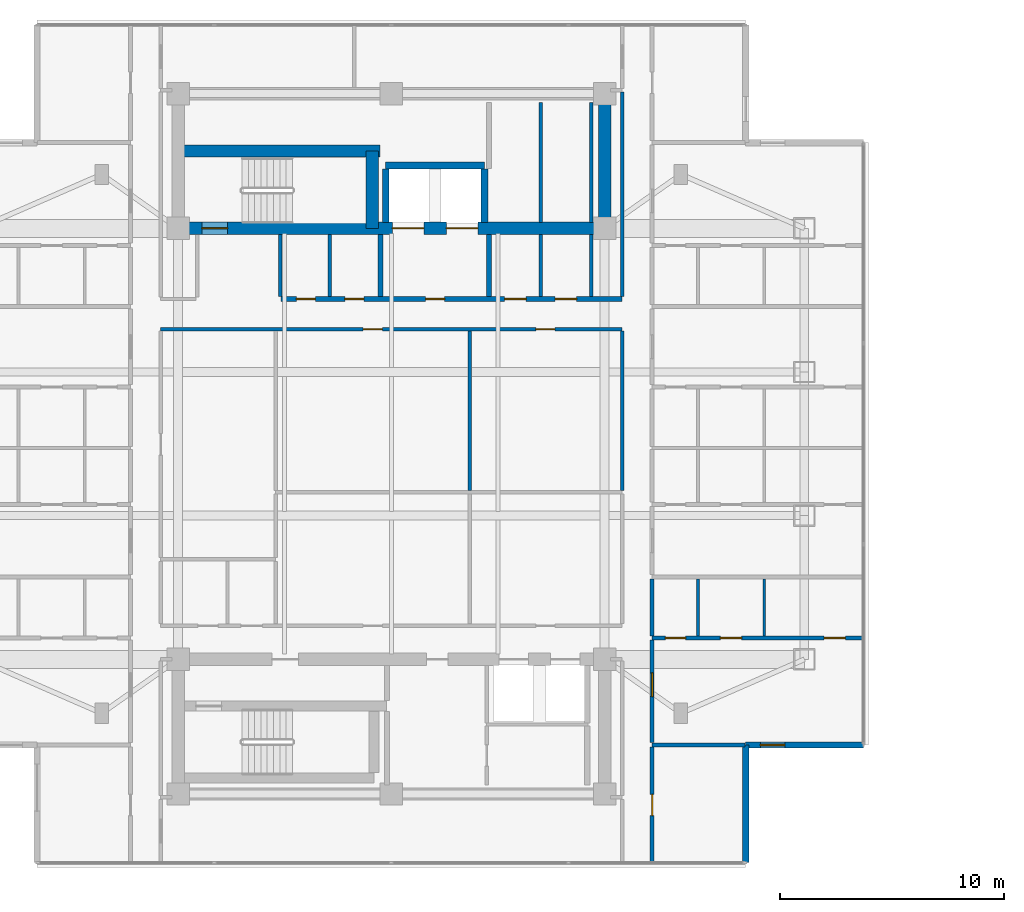
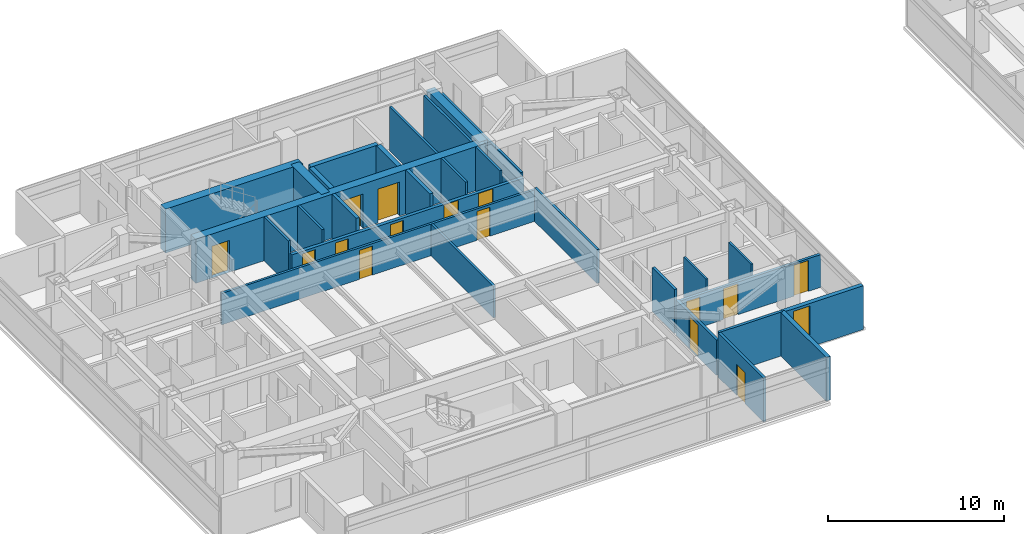
# One storey, part 15 of 26: 29 walls, 15 doors, 1 window, 16 openings.
"""IFC4 building model written with IfcOpenShell, lengths in metres."""

from ifc_helpers import new_model, si_unit, direction, frame, frame_2d, origin, place, context, subcontext, project, spatial, rectangle, extrude, material, layer, layer_set, type_object, element, fill, save


model = new_model("IFC4")

# Units and contexts
model_context = context("Model", 3, precision=1e-05, world=origin(), true_north=direction((0.0, 1.0)))
body_context = subcontext(model_context, "Body", "Model", "MODEL_VIEW")
ifc_project = project(units=[si_unit("LENGTHUNIT", "METRE"), si_unit("AREAUNIT", "SQUARE_METRE"), si_unit("VOLUMEUNIT", "CUBIC_METRE"), si_unit("PLANEANGLEUNIT", "RADIAN"), si_unit("MASSUNIT", "GRAM", prefix="KILO")], contexts=[model_context])

# Site, building, storey
site_placement = place(None, origin())
site = spatial("IfcSite", under=ifc_project, at=site_placement, CompositionType="ELEMENT")
building_placement = place(site_placement, origin())
building = spatial("IfcBuilding", under=site, at=building_placement, Name="Mirazonda Arch Towers", CompositionType="ELEMENT")
storey_placement = place(building_placement, frame((0.0, 0.0, 170.64990234375)))
storey = spatial("IfcBuildingStorey", under=building, at=storey_placement, Name="L48", CompositionType="ELEMENT", Elevation=170.64990234375)

# Wall
ifc_material_1 = material(Name="Concrete C50/60", Category="concrete")
ifc_layer_1 = layer(ifc_material_1, 0.550048828125, Name="WALL-CORE-550")
ifc_layer_set_1 = layer_set([ifc_layer_1], Name="Concrete C50/60")
wall_type_1 = type_object("IfcWallType", Name="WALL-CORE-550", PredefinedType="SHEAR", material=ifc_layer_set_1)
wall_1_placement = place(storey_placement, frame((30.0, 37.60009765625, 0.0), z_axis=(0.0, 0.0, 1.0), x_axis=(0.0, 1.0, 0.0)))
element("IfcWall", 1, at=wall_1_placement, inside=storey, type_object=wall_type_1, Name="L48 T1N-E Core Shear Wall", PredefinedType="SHEAR", context=body_context, shape_type="SweptSolid", body=[
    extrude(rectangle(XDim=6.0, YDim=0.550048828125, at=frame_2d((3.0, 0.0))), origin(), (0.0, 0.0, 1.0), 3.050048828125),
])

# Wall, openings, doors
wall_2_placement = place(storey_placement, frame((11.0, 37.60009765625, 0.0), z_axis=(0.0, 0.0, 1.0), x_axis=(1.0, 0.0, 0.0)))
wall_2 = element("IfcWall", 2, at=wall_2_placement, inside=storey, type_object=wall_type_1, Name="L48 T1N-S Core Shear Wall", PredefinedType="SHEAR", context=body_context, shape_type="SweptSolid", body=[
    extrude(rectangle(XDim=19.0, YDim=0.550048828125, at=frame_2d((9.5, 0.0))), origin(), (0.0, 0.0, 1.0), 3.050048828125),
])
opening_1_placement = place(wall_2_placement, frame((1.06005859375, 0.0, 0.0)))
opening_1 = element("IfcOpeningElement", 3, at=opening_1_placement, cuts=wall_2, Name="Opening DR-135", PredefinedType="OPENING", context=body_context, shape_type="SweptSolid", body=[
    extrude(rectangle(XDim=1.14990234375, YDim=2.199951171875, at=frame_2d((0.574951171875, 1.10009765625))), frame((0.0, 0.284912109375, 0.0), z_axis=(0.0, -1.0, 0.0), x_axis=(1.0, 0.0, 0.0)), (0.0, 0.0, 1.0), 0.570068359375),
])
opening_2_placement = place(wall_2_placement, frame((9.550048828125, 0.0, 0.0)))
opening_2 = element("IfcOpeningElement", 4, at=opening_2_placement, cuts=wall_2, Name="Opening LD-112", PredefinedType="OPENING", context=body_context, shape_type="SweptSolid", body=[
    extrude(rectangle(XDim=1.39990234375, YDim=2.35009765625, at=frame_2d((0.699951171875, 1.175048828125))), frame((0.0, 0.284912109375, 0.0), z_axis=(0.0, -1.0, 0.0), x_axis=(1.0, 0.0, 0.0)), (0.0, 0.0, 1.0), 0.570068359375),
])
opening_3_placement = place(wall_2_placement, frame((11.949951171875, 0.0, 0.0)))
opening_3 = element("IfcOpeningElement", 5, at=opening_3_placement, cuts=wall_2, Name="Opening LD-112", PredefinedType="OPENING", context=body_context, shape_type="SweptSolid", body=[
    extrude(rectangle(XDim=1.39990234375, YDim=2.35009765625, at=frame_2d((0.699951171875, 1.175048828125))), frame((0.0, 0.284912109375, 0.0), z_axis=(0.0, -1.0, 0.0), x_axis=(1.0, 0.0, 0.0)), (0.0, 0.0, 1.0), 0.570068359375),
])
ifc_material_2 = material(Name="Architectural Brushed Steel S355", Category="steel")
door_type_1 = type_object("IfcDoorType", Name="DOOR-LIFT-FFL-1400", OperationType="NOTDEFINED", PredefinedType="DOOR", material=ifc_material_2)
door_1_placement = place(opening_2_placement, origin())
door_1 = element("IfcDoor", 6, at=door_1_placement, inside=storey, type_object=door_type_1, Name="L48 Lift Landing Sliding Door FFL-T1", OperationType="DOUBLE_DOOR_SLIDING", OverallHeight=2.35009765625, OverallWidth=1.39990234375, PredefinedType="DOOR", context=body_context, shape_type="SweptSolid", body=[
    extrude(rectangle(XDim=1.39990234375, YDim=2.35009765625, at=frame_2d((0.699951171875, 1.175048828125))), frame((0.0, 0.02490234375, 0.0), z_axis=(0.0, -1.0, 0.0), x_axis=(1.0, 0.0, 0.0)), (0.0, 0.0, 1.0), 0.050048828125),
])
fill(opening_2, door_1)
door_2_placement = place(opening_3_placement, origin())
door_2 = element("IfcDoor", 7, at=door_2_placement, inside=storey, type_object=door_type_1, Name="L48 Lift Landing Sliding Door SVL-T1", OperationType="DOUBLE_DOOR_SLIDING", OverallHeight=2.35009765625, OverallWidth=1.39990234375, PredefinedType="DOOR", context=body_context, shape_type="SweptSolid", body=[
    extrude(rectangle(XDim=1.39990234375, YDim=2.35009765625, at=frame_2d((0.699951171875, 1.175048828125))), frame((0.0, 0.02490234375, 0.0), z_axis=(0.0, -1.0, 0.0), x_axis=(1.0, 0.0, 0.0)), (0.0, 0.0, 1.0), 0.050048828125),
])
fill(opening_3, door_2)
door_type_2 = type_object("IfcDoorType", Name="DOOR-STAIR-FD90-1150", OperationType="NOTDEFINED", PredefinedType="DOOR", material=ifc_material_2)
door_3_placement = place(opening_1_placement, origin())
door_3 = element("IfcDoor", 8, at=door_3_placement, inside=storey, type_object=door_type_2, Name="L48 Protected Exit Stair North Door", OperationType="SINGLE_SWING_LEFT", OverallHeight=2.199951171875, OverallWidth=1.14990234375, PredefinedType="DOOR", context=body_context, shape_type="SweptSolid", body=[
    extrude(rectangle(XDim=1.14990234375, YDim=2.199951171875, at=frame_2d((0.574951171875, 1.10009765625))), frame((0.0, 0.02490234375, 0.0), z_axis=(0.0, -1.0, 0.0), x_axis=(1.0, 0.0, 0.0)), (0.0, 0.0, 1.0), 0.050048828125),
])
fill(opening_1, door_3)

# Walls
wall_3_placement = place(storey_placement, frame((11.0, 41.04296875, 0.0), z_axis=(0.0, 0.0, 1.0), x_axis=(1.0, 0.0, 0.0)))
element("IfcWall", 9, at=wall_3_placement, inside=storey, type_object=wall_type_1, Name="L48 T1N-STN Core Shear Wall", PredefinedType="SHEAR", context=body_context, shape_type="SweptSolid", body=[
    extrude(rectangle(XDim=9.0, YDim=0.550048828125, at=frame_2d((4.5, 0.0))), origin(), (0.0, 0.0, 1.0), 3.050048828125),
])
wall_4_placement = place(storey_placement, frame((19.64990234375, 37.60009765625, 0.0), z_axis=(0.0, 0.0, 1.0), x_axis=(0.0, 1.0, 0.0)))
element("IfcWall", 10, at=wall_4_placement, inside=storey, type_object=wall_type_1, Name="L48 T1N-STE Core Shear Wall", PredefinedType="SHEAR", context=body_context, shape_type="SweptSolid", body=[
    extrude(rectangle(XDim=3.44287109375, YDim=0.550048828125, at=frame_2d((1.721435546875, 0.0))), origin(), (0.0, 0.0, 1.0), 3.050048828125),
])

# Wall, opening, window
ifc_material_3 = material(Name="Precast Concrete C40/50", Category="concrete")
ifc_layer_2 = layer(ifc_material_3, 0.280029296875, Name="WALL-EXT-WALL-280")
ifc_layer_set_2 = layer_set([ifc_layer_2], Name="Precast Concrete C40/50")
wall_type_2 = type_object("IfcWallType", Name="WALL-EXT-WALL-280", PredefinedType="SOLIDWALL", material=ifc_layer_set_2)
wall_5_placement = place(storey_placement, frame((36.284912109375, 14.5849609375, 0.0), z_axis=(0.0, 0.0, 1.0), x_axis=(1.0, 0.0, 0.0)))
wall_5 = element("IfcWall", 11, at=wall_5_placement, inside=storey, type_object=wall_type_2, Name="L48 T1 Corner Notch Return Wall WL-L48-T1-CSE1", PredefinedType="SOLIDWALL", context=body_context, shape_type="SweptSolid", body=[
    extrude(rectangle(XDim=5.2451171875, YDim=0.280029296875, at=frame_2d((2.62255859375, 0.0))), origin(), (0.0, 0.0, 1.0), 3.030029296875),
])
opening_4_placement = place(wall_5_placement, frame((0.64990234375, 0.0, 0.85009765625)))
opening_4 = element("IfcOpeningElement", 12, at=opening_4_placement, cuts=wall_5, Name="Opening WN-108", PredefinedType="OPENING", context=body_context, shape_type="SweptSolid", body=[
    extrude(rectangle(XDim=1.10009765625, YDim=2.0, at=frame_2d((0.550048828125, 1.0))), frame((0.0, 0.14990234375, 0.0), z_axis=(0.0, -1.0, 0.0), x_axis=(1.0, 0.0, 0.0)), (0.0, 0.0, 1.0), 0.300048828125),
])
ifc_material_4 = material(Name="Insulated Low-E Solar Glass", Category="glass")
window_type = type_object("IfcWindowType", Name="WIN-NOTCH-1100x2000", PartitioningType="SINGLE_PANEL", PredefinedType="WINDOW", material=ifc_material_4)
window_placement = place(opening_4_placement, origin())
window = element("IfcWindow", 13, at=window_placement, inside=storey, type_object=window_type, Name="L48 Punched Facade Window WN-L48-T1-CSE1", OverallHeight=2.0, OverallWidth=1.10009765625, PartitioningType="SINGLE_PANEL", PredefinedType="WINDOW", context=body_context, shape_type="SweptSolid", body=[
    extrude(rectangle(XDim=1.10009765625, YDim=2.0, at=frame_2d((0.550048828125, 1.0))), frame((0.0, 0.030029296875, 0.0), z_axis=(0.0, -1.0, 0.0), x_axis=(1.0, 0.0, 0.0)), (0.0, 0.0, 1.0), 0.06005859375),
])
fill(opening_4, window)

# Wall
wall_6_placement = place(storey_placement, frame((36.284912109375, 9.340087890625, 0.0), z_axis=(0.0, 0.0, 1.0), x_axis=(0.0, 1.0, 0.0)))
element("IfcWall", 14, at=wall_6_placement, inside=storey, type_object=wall_type_2, Name="L48 T1 Corner Notch Return Wall WL-L48-T1-CSE2", PredefinedType="SOLIDWALL", context=body_context, shape_type="SweptSolid", body=[
    extrude(rectangle(XDim=5.244873046875, YDim=0.280029296875, at=frame_2d((2.62255859375, 0.0))), origin(), (0.0, 0.0, 1.0), 3.030029296875),
])

# Wall, openings, doors
ifc_material_5 = material(Name="Concrete C40/50", Category="concrete")
ifc_layer_3 = layer(ifc_material_5, 0.219970703125, Name="WALL-FFL-220")
ifc_layer_set_3 = layer_set([ifc_layer_3], Name="Concrete C40/50")
wall_type_3 = type_object("IfcWallType", Name="WALL-FFL-220", PredefinedType="SOLIDWALL", material=ifc_layer_set_3)
wall_7_placement = place(storey_placement, frame((15.590087890625, 34.449951171875, 0.0), z_axis=(0.0, 0.0, 1.0), x_axis=(1.0, 0.0, 0.0)))
wall_7 = element("IfcWall", 15, at=wall_7_placement, inside=storey, type_object=wall_type_3, Name="L48 Interior Partition 050", PredefinedType="SOLIDWALL", context=body_context, shape_type="SweptSolid", body=[
    extrude(rectangle(XDim=15.18994140625, YDim=0.219970703125, at=frame_2d((7.594970703125, 0.0))), origin(), (0.0, 0.0, 1.0), 2.18603515625),
])
opening_5_placement = place(wall_7_placement, frame((6.43505859375, 0.0, 0.0)))
opening_5 = element("IfcOpeningElement", 16, at=opening_5_placement, cuts=wall_7, Name="Opening DR-128", PredefinedType="OPENING", context=body_context, shape_type="SweptSolid", body=[
    extrude(rectangle(XDim=0.85009765625, YDim=2.010009765625, at=frame_2d((0.425048828125, 1.0048828125))), frame((0.0, 0.119873046875, 0.0), z_axis=(0.0, -1.0, 0.0), x_axis=(1.0, 0.0, 0.0)), (0.0, 0.0, 1.0), 0.239990234375),
])
opening_6_placement = place(wall_7_placement, frame((9.9599609375, 0.0, 0.0)))
opening_6 = element("IfcOpeningElement", 17, at=opening_6_placement, cuts=wall_7, Name="Opening DR-104", PredefinedType="OPENING", context=body_context, shape_type="SweptSolid", body=[
    extrude(rectangle(XDim=0.949951171875, YDim=2.14990234375, at=frame_2d((0.47509765625, 1.074951171875))), frame((0.0, 0.119873046875, 0.0), z_axis=(0.0, -1.0, 0.0), x_axis=(1.0, 0.0, 0.0)), (0.0, 0.0, 1.0), 0.239990234375),
])
opening_7_placement = place(wall_7_placement, frame((12.2099609375, 0.0, 0.0)))
opening_7 = element("IfcOpeningElement", 18, at=opening_7_placement, cuts=wall_7, Name="Opening DR-104", PredefinedType="OPENING", context=body_context, shape_type="SweptSolid", body=[
    extrude(rectangle(XDim=0.949951171875, YDim=2.14990234375, at=frame_2d((0.47509765625, 1.074951171875))), frame((0.0, 0.119873046875, 0.0), z_axis=(0.0, -1.0, 0.0), x_axis=(1.0, 0.0, 0.0)), (0.0, 0.0, 1.0), 0.239990234375),
])
opening_8_placement = place(wall_7_placement, frame((0.675048828125, 0.0, 0.0)))
opening_8 = element("IfcOpeningElement", 19, at=opening_8_placement, cuts=wall_7, Name="Opening DR-128", PredefinedType="OPENING", context=body_context, shape_type="SweptSolid", body=[
    extrude(rectangle(XDim=0.85009765625, YDim=2.010009765625, at=frame_2d((0.425048828125, 1.0048828125))), frame((0.0, 0.119873046875, 0.0), z_axis=(0.0, -1.0, 0.0), x_axis=(1.0, 0.0, 0.0)), (0.0, 0.0, 1.0), 0.239990234375),
])
opening_9_placement = place(wall_7_placement, frame((2.8349609375, 0.0, 0.0)))
opening_9 = element("IfcOpeningElement", 20, at=opening_9_placement, cuts=wall_7, Name="Opening DR-128", PredefinedType="OPENING", context=body_context, shape_type="SweptSolid", body=[
    extrude(rectangle(XDim=0.85009765625, YDim=2.010009765625, at=frame_2d((0.425048828125, 1.0048828125))), frame((0.0, 0.119873046875, 0.0), z_axis=(0.0, -1.0, 0.0), x_axis=(1.0, 0.0, 0.0)), (0.0, 0.0, 1.0), 0.239990234375),
])
door_type_3 = type_object("IfcDoorType", Name="DOOR-RISER-FD60-850", OperationType="NOTDEFINED", PredefinedType="DOOR", material=ifc_material_2)
door_4_placement = place(opening_5_placement, origin())
door_4 = element("IfcDoor", 21, at=door_4_placement, inside=storey, type_object=door_type_3, Name="L48 Firefighting Lift Lobby Door", OperationType="SINGLE_SWING_RIGHT", OverallHeight=2.010009765625, OverallWidth=0.85009765625, PredefinedType="DOOR", context=body_context, shape_type="SweptSolid", body=[
    extrude(rectangle(XDim=0.85009765625, YDim=2.010009765625, at=frame_2d((0.425048828125, 1.0048828125))), frame((0.0, 0.02490234375, 0.0), z_axis=(0.0, -1.0, 0.0), x_axis=(1.0, 0.0, 0.0)), (0.0, 0.0, 1.0), 0.050048828125),
])
fill(opening_5, door_4)
door_5_placement = place(opening_8_placement, origin())
door_5 = element("IfcDoor", 22, at=door_5_placement, inside=storey, type_object=door_type_3, Name="L48 Electrical Room Door", OperationType="SINGLE_SWING_LEFT", OverallHeight=2.010009765625, OverallWidth=0.85009765625, PredefinedType="DOOR", context=body_context, shape_type="SweptSolid", body=[
    extrude(rectangle(XDim=0.85009765625, YDim=2.010009765625, at=frame_2d((0.425048828125, 1.0048828125))), frame((0.0, 0.02490234375, 0.0), z_axis=(0.0, -1.0, 0.0), x_axis=(1.0, 0.0, 0.0)), (0.0, 0.0, 1.0), 0.050048828125),
])
fill(opening_8, door_5)
door_6_placement = place(opening_9_placement, origin())
door_6 = element("IfcDoor", 23, at=door_6_placement, inside=storey, type_object=door_type_3, Name="L48 Cleaners & Housekeeping Store Door", OperationType="SINGLE_SWING_RIGHT", OverallHeight=2.010009765625, OverallWidth=0.85009765625, PredefinedType="DOOR", context=body_context, shape_type="SweptSolid", body=[
    extrude(rectangle(XDim=0.85009765625, YDim=2.010009765625, at=frame_2d((0.425048828125, 1.0048828125))), frame((0.0, 0.02490234375, 0.0), z_axis=(0.0, -1.0, 0.0), x_axis=(1.0, 0.0, 0.0)), (0.0, 0.0, 1.0), 0.050048828125),
])
fill(opening_9, door_6)
door_type_4 = type_object("IfcDoorType", Name="DOOR-ROOM-950", OperationType="NOTDEFINED", PredefinedType="DOOR", material=ifc_material_2)
door_7_placement = place(opening_6_placement, origin())
door_7 = element("IfcDoor", 24, at=door_7_placement, inside=storey, type_object=door_type_4, Name="L48 Residents Private Art Gallery Door", OperationType="SINGLE_SWING_LEFT", OverallHeight=2.14990234375, OverallWidth=0.949951171875, PredefinedType="DOOR", context=body_context, shape_type="SweptSolid", body=[
    extrude(rectangle(XDim=0.949951171875, YDim=2.14990234375, at=frame_2d((0.47509765625, 1.074951171875))), frame((0.0, 0.02490234375, 0.0), z_axis=(0.0, -1.0, 0.0), x_axis=(1.0, 0.0, 0.0)), (0.0, 0.0, 1.0), 0.050048828125),
])
fill(opening_6, door_7)
door_8_placement = place(opening_7_placement, origin())
door_8 = element("IfcDoor", 25, at=door_8_placement, inside=storey, type_object=door_type_4, Name="L48 Private Quiet Study Door", OperationType="SINGLE_SWING_RIGHT", OverallHeight=2.14990234375, OverallWidth=0.949951171875, PredefinedType="DOOR", context=body_context, shape_type="SweptSolid", body=[
    extrude(rectangle(XDim=0.949951171875, YDim=2.14990234375, at=frame_2d((0.47509765625, 1.074951171875))), frame((0.0, 0.02490234375, 0.0), z_axis=(0.0, -1.0, 0.0), x_axis=(1.0, 0.0, 0.0)), (0.0, 0.0, 1.0), 0.050048828125),
])
fill(opening_7, door_8)

# Walls
for number, where, z_axis, x_axis, name in (
    (26, (20.02490234375, 34.570068359375, 0.0), (0.0, 0.0, 1.0), (0.0, 1.0, 0.0), "L48 Interior Partition 097"),
    (27, (24.85009765625, 34.570068359375, 0.0), (0.0, 0.0, 1.0), (0.0, 1.0, 0.0), "L48 Interior Partition 106"),
):
    element("IfcWall", number, at=place(storey_placement, frame(where, z_axis=z_axis, x_axis=x_axis)), inside=storey, type_object=wall_type_3, Name=name, PredefinedType="SOLIDWALL", context=body_context, shape_type="SweptSolid", body=[
        extrude(rectangle(XDim=2.760009765625, YDim=0.219970703125, at=frame_2d((1.3798828125, 0.0))), origin(), (0.0, 0.0, 1.0), 3.050048828125),
    ])

# Wall, openings, doors
ifc_material_6 = material(Name="Fire-Rated Gypsum Stud Partition")
ifc_layer_4 = layer(ifc_material_6, 0.14990234375, Name="WALL-PART-CORR-150")
ifc_layer_set_4 = layer_set([ifc_layer_4], Name="Fire-Rated Gypsum Stud Partition")
wall_type_4 = type_object("IfcWallType", Name="WALL-PART-CORR-150", PredefinedType="PARTITIONING", material=ifc_layer_set_4)
wall_8_placement = place(storey_placement, frame((10.219970703125, 33.10009765625, 0.0), z_axis=(0.0, 0.0, 1.0), x_axis=(1.0, 0.0, 0.0)))
wall_8 = element("IfcWall", 28, at=wall_8_placement, inside=storey, type_object=wall_type_4, Name="L48 Interior Partition 046", PredefinedType="PARTITIONING", context=body_context, shape_type="SweptSolid", body=[
    extrude(rectangle(XDim=20.56005859375, YDim=0.14990234375, at=frame_2d((10.280029296875, 0.0))), origin(), (0.0, 0.0, 1.0), 2.18603515625),
])
opening_10_placement = place(wall_8_placement, frame((9.025390625, 0.0, 0.0)))
opening_10 = element("IfcOpeningElement", 29, at=opening_10_placement, cuts=wall_8, Name="Opening DR-128", PredefinedType="OPENING", context=body_context, shape_type="SweptSolid", body=[
    extrude(rectangle(XDim=0.85009765625, YDim=2.010009765625, at=frame_2d((0.425048828125, 1.0048828125))), frame((0.0, 0.0849609375, 0.0), z_axis=(0.0, -1.0, 0.0), x_axis=(1.0, 0.0, 0.0)), (0.0, 0.0, 1.0), 0.169921875),
])
opening_11_placement = place(wall_8_placement, frame((16.720458984375, 0.0, 0.0)))
opening_11 = element("IfcOpeningElement", 30, at=opening_11_placement, cuts=wall_8, Name="Opening DR-128", PredefinedType="OPENING", context=body_context, shape_type="SweptSolid", body=[
    extrude(rectangle(XDim=0.85009765625, YDim=2.010009765625, at=frame_2d((0.425048828125, 1.0048828125))), frame((0.0, 0.0849609375, 0.0), z_axis=(0.0, -1.0, 0.0), x_axis=(1.0, 0.0, 0.0)), (0.0, 0.0, 1.0), 0.169921875),
])
door_9_placement = place(opening_10_placement, origin())
door_9 = element("IfcDoor", 31, at=door_9_placement, inside=storey, type_object=door_type_3, Name="L48 Private Dining Room Door", OperationType="SINGLE_SWING_RIGHT", OverallHeight=2.010009765625, OverallWidth=0.85009765625, PredefinedType="DOOR", context=body_context, shape_type="SweptSolid", body=[
    extrude(rectangle(XDim=0.85009765625, YDim=2.010009765625, at=frame_2d((0.425048828125, 1.0048828125))), frame((0.0, 0.02490234375, 0.0), z_axis=(0.0, -1.0, 0.0), x_axis=(1.0, 0.0, 0.0)), (0.0, 0.0, 1.0), 0.050048828125),
])
fill(opening_10, door_9)
door_10_placement = place(opening_11_placement, origin())
door_10 = element("IfcDoor", 32, at=door_10_placement, inside=storey, type_object=door_type_3, Name="L48 Collectors Gallery Study Door", OperationType="SINGLE_SWING_LEFT", OverallHeight=2.010009765625, OverallWidth=0.85009765625, PredefinedType="DOOR", context=body_context, shape_type="SweptSolid", body=[
    extrude(rectangle(XDim=0.85009765625, YDim=2.010009765625, at=frame_2d((0.425048828125, 1.0048828125))), frame((0.0, 0.02490234375, 0.0), z_axis=(0.0, -1.0, 0.0), x_axis=(1.0, 0.0, 0.0)), (0.0, 0.0, 1.0), 0.050048828125),
])
fill(opening_11, door_10)

# Walls
for number, where, z_axis, x_axis, name in (
    (33, (15.550048828125, 34.570068359375, 0.0), (0.0, 0.0, 1.0), (0.0, 1.0, 0.0), "L48 Interior Partition 093"),
    (34, (17.75, 34.570068359375, 0.0), (0.0, 0.0, 1.0), (0.0, 1.0, 0.0), "L48 Interior Partition 094"),
):
    element("IfcWall", number, at=place(storey_placement, frame(where, z_axis=z_axis, x_axis=x_axis)), inside=storey, type_object=wall_type_4, Name=name, PredefinedType="PARTITIONING", context=body_context, shape_type="SweptSolid", body=[
        extrude(rectangle(XDim=2.760009765625, YDim=0.14990234375, at=frame_2d((1.3798828125, 0.0))), origin(), (0.0, 0.0, 1.0), 3.050048828125),
    ])
wall_9_placement = place(storey_placement, frame((23.990966796875, 25.925048828125, 0.0), z_axis=(0.0, 0.0, 1.0), x_axis=(0.0, 1.0, 0.0)))
element("IfcWall", 35, at=wall_9_placement, inside=storey, type_object=wall_type_4, Name="L48 Interior Partition 102", PredefinedType="PARTITIONING", context=body_context, shape_type="SweptSolid", body=[
    extrude(rectangle(XDim=7.08984375, YDim=0.14990234375, at=frame_2d((3.544921875, 0.0))), origin(), (0.0, 0.0, 1.0), 2.18603515625),
])
wall_10_placement = place(storey_placement, frame((27.14990234375, 34.570068359375, 0.0), z_axis=(0.0, 0.0, 1.0), x_axis=(0.0, 1.0, 0.0)))
element("IfcWall", 36, at=wall_10_placement, inside=storey, type_object=wall_type_4, Name="L48 Interior Partition 108", PredefinedType="PARTITIONING", context=body_context, shape_type="SweptSolid", body=[
    extrude(rectangle(XDim=2.760009765625, YDim=0.14990234375, at=frame_2d((1.3798828125, 0.0))), origin(), (0.0, 0.0, 1.0), 3.050048828125),
])
wall_11_placement = place(storey_placement, frame((27.14990234375, 37.8701171875, 0.0), z_axis=(0.0, 0.0, 1.0), x_axis=(0.0, 1.0, 0.0)))
element("IfcWall", 37, at=wall_11_placement, inside=storey, type_object=wall_type_4, Name="L48 Interior Partition 109", PredefinedType="PARTITIONING", context=body_context, shape_type="SweptSolid", body=[
    extrude(rectangle(XDim=5.329833984375, YDim=0.14990234375, at=frame_2d((2.6650390625, 0.0))), origin(), (0.0, 0.0, 1.0), 3.050048828125),
])
wall_12_placement = place(storey_placement, frame((29.39990234375, 34.570068359375, 0.0), z_axis=(0.0, 0.0, 1.0), x_axis=(0.0, 1.0, 0.0)))
element("IfcWall", 38, at=wall_12_placement, inside=storey, type_object=wall_type_4, Name="L48 Interior Partition 112", PredefinedType="PARTITIONING", context=body_context, shape_type="SweptSolid", body=[
    extrude(rectangle(XDim=2.760009765625, YDim=0.14990234375, at=frame_2d((1.3798828125, 0.0))), origin(), (0.0, 0.0, 1.0), 3.050048828125),
])
wall_13_placement = place(storey_placement, frame((29.39990234375, 37.8701171875, 0.0), z_axis=(0.0, 0.0, 1.0), x_axis=(0.0, 1.0, 0.0)))
element("IfcWall", 39, at=wall_13_placement, inside=storey, type_object=wall_type_4, Name="L48 Interior Partition 113", PredefinedType="PARTITIONING", context=body_context, shape_type="SweptSolid", body=[
    extrude(rectangle(XDim=5.329833984375, YDim=0.14990234375, at=frame_2d((2.6650390625, 0.0))), origin(), (0.0, 0.0, 1.0), 3.050048828125),
])
wall_14_placement = place(storey_placement, frame((30.780029296875, 25.925048828125, 0.0), z_axis=(0.0, 0.0, 1.0), x_axis=(0.0, 1.0, 0.0)))
element("IfcWall", 40, at=wall_14_placement, inside=storey, type_object=wall_type_4, Name="L48 Interior Partition 117", PredefinedType="PARTITIONING", context=body_context, shape_type="SweptSolid", body=[
    extrude(rectangle(XDim=7.08984375, YDim=0.14990234375, at=frame_2d((3.544921875, 0.0))), origin(), (0.0, 0.0, 1.0), 2.34619140625),
])
wall_15_placement = place(storey_placement, frame((30.780029296875, 34.570068359375, 0.0), z_axis=(0.0, 0.0, 1.0), x_axis=(0.0, 1.0, 0.0)))
element("IfcWall", 41, at=wall_15_placement, inside=storey, type_object=wall_type_4, Name="L48 Interior Partition 118", PredefinedType="PARTITIONING", context=body_context, shape_type="SweptSolid", body=[
    extrude(rectangle(XDim=9.094970703125, YDim=0.14990234375, at=frame_2d((4.54736328125, 0.0))), origin(), (0.0, 0.0, 1.0), 2.442138671875),
])
ifc_material_7 = material(Name="Fire-Rated Gypsum Twin-Stud Assembly")
ifc_layer_5 = layer(ifc_material_7, 0.179931640625, Name="WALL-PART-DEMISE-180")
ifc_layer_set_5 = layer_set([ifc_layer_5], Name="Fire-Rated Gypsum Twin-Stud Assembly")
wall_type_5 = type_object("IfcWallType", Name="WALL-PART-DEMISE-180", PredefinedType="PARTITIONING", material=ifc_layer_set_5)
wall_16_placement = place(storey_placement, frame((32.1201171875, 14.5849609375, 0.0), z_axis=(0.0, 0.0, 1.0), x_axis=(1.0, 0.0, 0.0)))
element("IfcWall", 42, at=wall_16_placement, inside=storey, type_object=wall_type_5, Name="L48 Interior Partition 005", PredefinedType="PARTITIONING", context=body_context, shape_type="SweptSolid", body=[
    extrude(rectangle(XDim=4.144775390625, YDim=0.179931640625, at=frame_2d((2.072265625, 0.0))), origin(), (0.0, 0.0, 1.0), 3.050048828125),
])

# Wall, openings, doors
wall_17_placement = place(storey_placement, frame((32.1201171875, 19.35009765625, 0.0), z_axis=(0.0, 0.0, 1.0), x_axis=(1.0, 0.0, 0.0)))
wall_17 = element("IfcWall", 43, at=wall_17_placement, inside=storey, type_object=wall_type_5, Name="L48 Interior Partition 015", PredefinedType="PARTITIONING", context=body_context, shape_type="SweptSolid", body=[
    extrude(rectangle(XDim=9.409912109375, YDim=0.179931640625, at=frame_2d((4.705078125, 0.0))), origin(), (0.0, 0.0, 1.0), 2.26904296875),
])
opening_12_placement = place(wall_17_placement, frame((7.654052734375, 0.0, 0.0)))
opening_12 = element("IfcOpeningElement", 44, at=opening_12_placement, cuts=wall_17, Name="Opening DR-104", PredefinedType="OPENING", context=body_context, shape_type="SweptSolid", body=[
    extrude(rectangle(XDim=0.949951171875, YDim=2.14990234375, at=frame_2d((0.47509765625, 1.074951171875))), frame((0.0, 0.099853515625, 0.0), z_axis=(0.0, -1.0, 0.0), x_axis=(1.0, 0.0, 0.0)), (0.0, 0.0, 1.0), 0.199951171875),
])
opening_13_placement = place(wall_17_placement, frame((3.0390625, 0.0, 0.0)))
opening_13 = element("IfcOpeningElement", 45, at=opening_13_placement, cuts=wall_17, Name="Opening DR-104", PredefinedType="OPENING", context=body_context, shape_type="SweptSolid", body=[
    extrude(rectangle(XDim=0.949951171875, YDim=2.14990234375, at=frame_2d((0.47509765625, 1.074951171875))), frame((0.0, 0.099853515625, 0.0), z_axis=(0.0, -1.0, 0.0), x_axis=(1.0, 0.0, 0.0)), (0.0, 0.0, 1.0), 0.199951171875),
])
opening_14_placement = place(wall_17_placement, frame((0.590087890625, 0.0, 0.0)))
opening_14 = element("IfcOpeningElement", 46, at=opening_14_placement, cuts=wall_17, Name="Opening DR-120", PredefinedType="OPENING", context=body_context, shape_type="SweptSolid", body=[
    extrude(rectangle(XDim=0.89990234375, YDim=2.10009765625, at=frame_2d((0.449951171875, 1.050048828125))), frame((0.0, 0.099853515625, 0.0), z_axis=(0.0, -1.0, 0.0), x_axis=(1.0, 0.0, 0.0)), (0.0, 0.0, 1.0), 0.199951171875),
])
door_11_placement = place(opening_12_placement, origin())
door_11 = element("IfcDoor", 47, at=door_11_placement, inside=storey, type_object=door_type_4, Name="L48 Residence 1 Principal Bedroom Door", OperationType="SINGLE_SWING_LEFT", OverallHeight=2.14990234375, OverallWidth=0.949951171875, PredefinedType="DOOR", context=body_context, shape_type="SweptSolid", body=[
    extrude(rectangle(XDim=0.949951171875, YDim=2.14990234375, at=frame_2d((0.47509765625, 1.074951171875))), frame((0.0, 0.02490234375, 0.0), z_axis=(0.0, -1.0, 0.0), x_axis=(1.0, 0.0, 0.0)), (0.0, 0.0, 1.0), 0.050048828125),
])
fill(opening_12, door_11)
door_12_placement = place(opening_13_placement, origin())
door_12 = element("IfcDoor", 48, at=door_12_placement, inside=storey, type_object=door_type_4, Name="L48 Residence 1 Fitted Kitchen Door", OperationType="SINGLE_SWING_RIGHT", OverallHeight=2.14990234375, OverallWidth=0.949951171875, PredefinedType="DOOR", context=body_context, shape_type="SweptSolid", body=[
    extrude(rectangle(XDim=0.949951171875, YDim=2.14990234375, at=frame_2d((0.47509765625, 1.074951171875))), frame((0.0, 0.02490234375, 0.0), z_axis=(0.0, -1.0, 0.0), x_axis=(1.0, 0.0, 0.0)), (0.0, 0.0, 1.0), 0.050048828125),
])
fill(opening_13, door_12)
door_type_5 = type_object("IfcDoorType", Name="DOOR-WC-900", OperationType="NOTDEFINED", PredefinedType="DOOR", material=ifc_material_2)
door_13_placement = place(opening_14_placement, origin())
door_13 = element("IfcDoor", 49, at=door_13_placement, inside=storey, type_object=door_type_5, Name="L48 Residence 1 Bathroom Door", OperationType="SINGLE_SWING_LEFT", OverallHeight=2.10009765625, OverallWidth=0.89990234375, PredefinedType="DOOR", context=body_context, shape_type="SweptSolid", body=[
    extrude(rectangle(XDim=0.89990234375, YDim=2.10009765625, at=frame_2d((0.449951171875, 1.050048828125))), frame((0.0, 0.02490234375, 0.0), z_axis=(0.0, -1.0, 0.0), x_axis=(1.0, 0.0, 0.0)), (0.0, 0.0, 1.0), 0.050048828125),
])
fill(opening_14, door_13)

# Wall, opening, door
wall_18_placement = place(storey_placement, frame((32.1201171875, 9.340087890625, 0.0), z_axis=(0.0, 0.0, 1.0), x_axis=(0.0, 1.0, 0.0)))
wall_18 = element("IfcWall", 50, at=wall_18_placement, inside=storey, type_object=wall_type_5, Name="L48 Interior Partition 120", PredefinedType="PARTITIONING", context=body_context, shape_type="SweptSolid", body=[
    extrude(rectangle(XDim=5.14501953125, YDim=0.179931640625, at=frame_2d((2.572509765625, 0.0))), origin(), (0.0, 0.0, 1.0), 3.050048828125),
])
opening_15_placement = place(wall_18_placement, frame((2.097412109375, 0.0, 0.0)))
opening_15 = element("IfcOpeningElement", 51, at=opening_15_placement, cuts=wall_18, Name="Opening DR-104", PredefinedType="OPENING", context=body_context, shape_type="SweptSolid", body=[
    extrude(rectangle(XDim=0.949951171875, YDim=2.14990234375, at=frame_2d((0.47509765625, 1.074951171875))), frame((0.0, 0.099853515625, 0.0), z_axis=(0.0, -1.0, 0.0), x_axis=(1.0, 0.0, 0.0)), (0.0, 0.0, 1.0), 0.199951171875),
])
door_14_placement = place(opening_15_placement, origin())
door_14 = element("IfcDoor", 52, at=door_14_placement, inside=storey, type_object=door_type_4, Name="L48 South Panoramic Study Alcove East Door", OperationType="SINGLE_SWING_RIGHT", OverallHeight=2.14990234375, OverallWidth=0.949951171875, PredefinedType="DOOR", context=body_context, shape_type="SweptSolid", body=[
    extrude(rectangle(XDim=0.949951171875, YDim=2.14990234375, at=frame_2d((0.47509765625, 1.074951171875))), frame((0.0, 0.02490234375, 0.0), z_axis=(0.0, -1.0, 0.0), x_axis=(1.0, 0.0, 0.0)), (0.0, 0.0, 1.0), 0.050048828125),
])
fill(opening_15, door_14)

wall_19_placement = place(storey_placement, frame((32.1201171875, 14.68505859375, 0.0), z_axis=(0.0, 0.0, 1.0), x_axis=(0.0, 1.0, 0.0)))
wall_19 = element("IfcWall", 53, at=wall_19_placement, inside=storey, type_object=wall_type_5, Name="L48 Interior Partition 121", PredefinedType="PARTITIONING", context=body_context, shape_type="SweptSolid", body=[
    extrude(rectangle(XDim=4.56494140625, YDim=0.179931640625, at=frame_2d((2.282470703125, 0.0))), origin(), (0.0, 0.0, 1.0), 2.442138671875),
])
opening_16_placement = place(wall_19_placement, frame((2.0576171875, 0.0, 0.0)))
opening_16 = element("IfcOpeningElement", 54, at=opening_16_placement, cuts=wall_19, Name="Opening DR-121", PredefinedType="OPENING", context=body_context, shape_type="SweptSolid", body=[
    extrude(rectangle(XDim=1.050048828125, YDim=2.199951171875, at=frame_2d((0.52490234375, 1.10009765625))), frame((0.0, 0.099853515625, 0.0), z_axis=(0.0, -1.0, 0.0), x_axis=(1.0, 0.0, 0.0)), (0.0, 0.0, 1.0), 0.199951171875),
])
door_type_6 = type_object("IfcDoorType", Name="DOOR-SUITE-FD60-1050", OperationType="NOTDEFINED", PredefinedType="DOOR", material=ifc_material_2)
door_15_placement = place(opening_16_placement, origin())
door_15 = element("IfcDoor", 55, at=door_15_placement, inside=storey, type_object=door_type_6, Name="L48 Residence 1 Living & Dining Salon Door", OperationType="SINGLE_SWING_RIGHT", OverallHeight=2.199951171875, OverallWidth=1.050048828125, PredefinedType="DOOR", context=body_context, shape_type="SweptSolid", body=[
    extrude(rectangle(XDim=1.050048828125, YDim=2.199951171875, at=frame_2d((0.52490234375, 1.10009765625))), frame((0.0, 0.02490234375, 0.0), z_axis=(0.0, -1.0, 0.0), x_axis=(1.0, 0.0, 0.0)), (0.0, 0.0, 1.0), 0.050048828125),
])
fill(opening_16, door_15)

# Walls
wall_20_placement = place(storey_placement, frame((32.1201171875, 19.449951171875, 0.0), z_axis=(0.0, 0.0, 1.0), x_axis=(0.0, 1.0, 0.0)))
element("IfcWall", 56, at=wall_20_placement, inside=storey, type_object=wall_type_5, Name="L48 Interior Partition 122", PredefinedType="PARTITIONING", context=body_context, shape_type="SweptSolid", body=[
    extrude(rectangle(XDim=2.52001953125, YDim=0.179931640625, at=frame_2d((1.260009765625, 0.0))), origin(), (0.0, 0.0, 1.0), 3.050048828125),
])
ifc_material_8 = material(Name="Acoustic Fire-Rated Gypsum Partition")
ifc_layer_6 = layer(ifc_material_8, 0.125, Name="WALL-PART-UNIT-125")
ifc_layer_set_6 = layer_set([ifc_layer_6], Name="Acoustic Fire-Rated Gypsum Partition")
wall_type_6 = type_object("IfcWallType", Name="WALL-PART-UNIT-125", PredefinedType="PARTITIONING", material=ifc_layer_set_6)
for number, where, z_axis, x_axis, name in (
    (57, (34.159912109375, 19.449951171875, 0.0), (0.0, 0.0, 1.0), (0.0, 1.0, 0.0), "L48 Interior Partition 130"),
    (58, (37.10791015625, 19.449951171875, 0.0), (0.0, 0.0, 1.0), (0.0, 1.0, 0.0), "L48 Interior Partition 134"),
):
    element("IfcWall", number, at=place(storey_placement, frame(where, z_axis=z_axis, x_axis=x_axis)), inside=storey, type_object=wall_type_6, Name=name, PredefinedType="PARTITIONING", context=body_context, shape_type="SweptSolid", body=[
        extrude(rectangle(XDim=2.52001953125, YDim=0.125, at=frame_2d((1.260009765625, 0.0))), origin(), (0.0, 0.0, 1.0), 3.050048828125),
    ])
ifc_layer_7 = layer(ifc_material_1, 0.300048828125, Name="WALL-SHAFT-300")
ifc_layer_set_7 = layer_set([ifc_layer_7], Name="Concrete C50/60")
wall_type_7 = type_object("IfcWallType", Name="WALL-SHAFT-300", PredefinedType="SOLIDWALL", material=ifc_layer_set_7)
wall_21_placement = place(storey_placement, frame((20.25, 40.39990234375, 0.0), z_axis=(0.0, 0.0, 1.0), x_axis=(1.0, 0.0, 0.0)))
element("IfcWall", 59, at=wall_21_placement, inside=storey, type_object=wall_type_7, Name="L48 Interior Partition 059", PredefinedType="SOLIDWALL", context=body_context, shape_type="SweptSolid", body=[
    extrude(rectangle(XDim=4.39990234375, YDim=0.300048828125, at=frame_2d((2.199951171875, 0.0))), origin(), (0.0, 0.0, 1.0), 3.050048828125),
])
for number, where, z_axis, x_axis, name in (
    (60, (20.25, 37.8701171875, 0.0), (0.0, 0.0, 1.0), (0.0, 1.0, 0.0), "L48 Interior Partition 100"),
    (61, (24.64990234375, 37.8701171875, 0.0), (0.0, 0.0, 1.0), (0.0, 1.0, 0.0), "L48 Interior Partition 105"),
):
    element("IfcWall", number, at=place(storey_placement, frame(where, z_axis=z_axis, x_axis=x_axis)), inside=storey, type_object=wall_type_7, Name=name, PredefinedType="SOLIDWALL", context=body_context, shape_type="SweptSolid", body=[
        extrude(rectangle(XDim=2.369873046875, YDim=0.300048828125, at=frame_2d((1.18505859375, 0.0))), origin(), (0.0, 0.0, 1.0), 3.050048828125),
    ])

save(model, "model.ifc")
